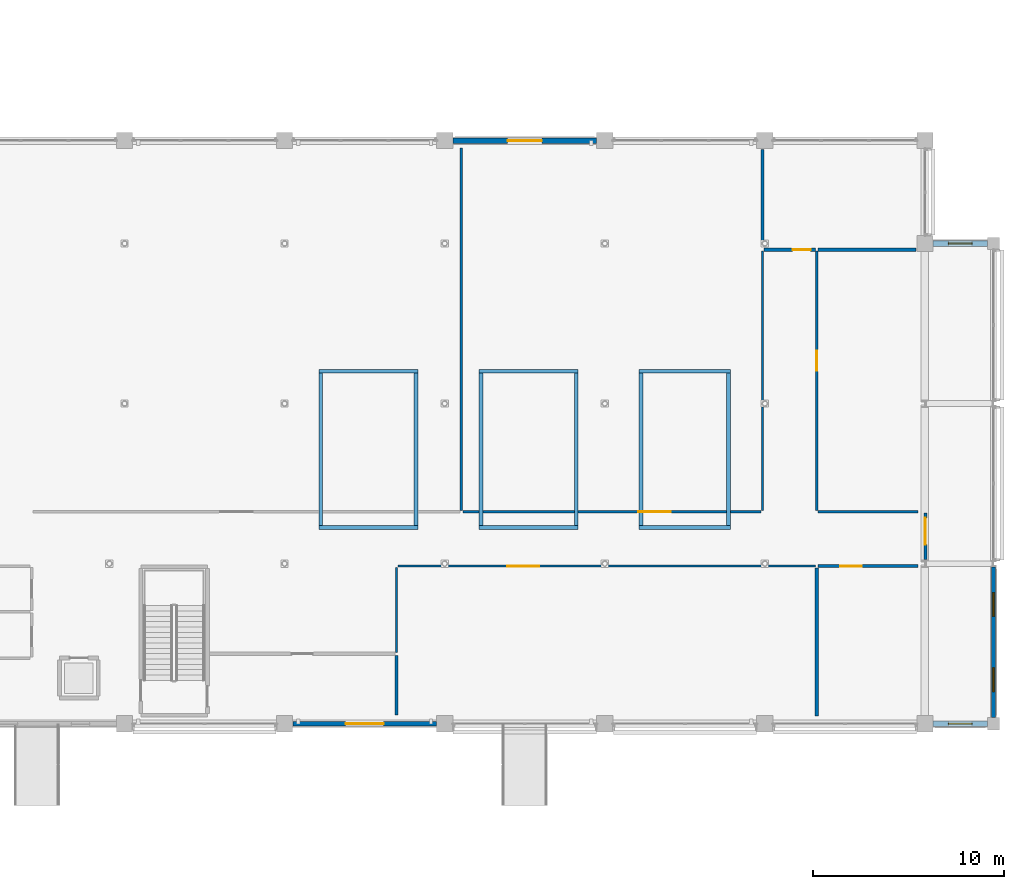
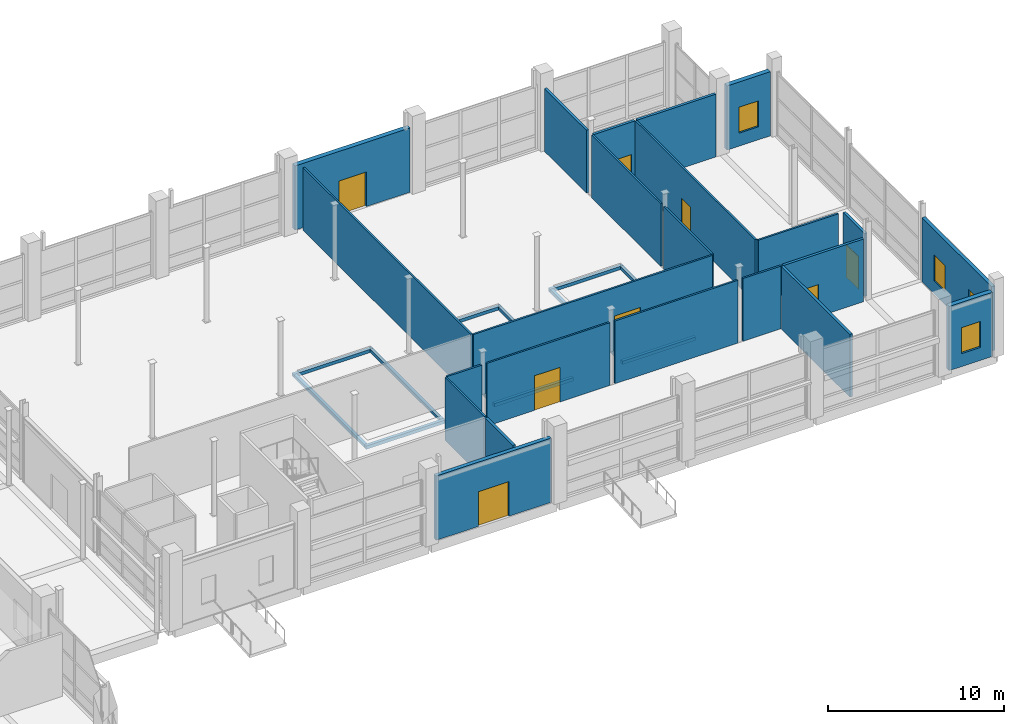
# One storey, part 65 of 140: 35 walls, 8 doors, 4 windows, 12 openings.
"""IFC4 building model written with IfcOpenShell, lengths in metres."""

from ifc_helpers import new_model, si_unit, direction, frame, frame_2d, origin, place, context, subcontext, project, spatial, rectangle, extrude, material, layer, layer_set, type_object, element, fill, save


model = new_model("IFC4")

# Units and contexts
model_context = context("Model", 3, precision=1e-05, world=origin(), true_north=direction((0.0, 1.0)))
body_context = subcontext(model_context, "Body", "Model", "MODEL_VIEW")
ifc_project = project(units=[si_unit("LENGTHUNIT", "METRE"), si_unit("AREAUNIT", "SQUARE_METRE"), si_unit("VOLUMEUNIT", "CUBIC_METRE"), si_unit("PLANEANGLEUNIT", "RADIAN"), si_unit("MASSUNIT", "GRAM", prefix="KILO")], contexts=[model_context])

# Site, building, storey
site_placement = place(None, origin())
site = spatial("IfcSite", under=ifc_project, at=site_placement, CompositionType="ELEMENT")
building_placement = place(site_placement, origin())
building = spatial("IfcBuilding", under=site, at=building_placement, Name="Telukmera Botanical Conservatory", CompositionType="ELEMENT")
storey_placement = place(building_placement, origin())
storey = spatial("IfcBuildingStorey", under=building, at=storey_placement, Name="L00", CompositionType="ELEMENT", Elevation=0.0)

# Wall, opening, door
ifc_material_1 = material(Name="Granite-faced precast concrete C40/50", Category="masonry")
ifc_layer_1 = layer(ifc_material_1, 0.260009765625)
ifc_layer_set_1 = layer_set([ifc_layer_1], Name="Granite-faced precast concrete C40/50")
wall_type_1 = type_object("IfcWallType", Name="Exterior Granite Precast Plinth Wall 260", PredefinedType="SOLIDWALL", material=ifc_layer_set_1)
wall_1_placement = place(storey_placement, frame((134.826904296875, 17.60009765625, 0.0), z_axis=(0.0, 0.0, 1.0), x_axis=(1.0, 0.0, 0.0)))
wall_1 = element("IfcWall", 1, at=wall_1_placement, inside=storey, type_object=wall_type_1, Name="Exterior Precast Wall EW01 V1:L00:S3", PredefinedType="SOLIDWALL", context=body_context, shape_type="SweptSolid", body=[
    extrude(rectangle(XDim=7.546142578125, YDim=0.260009765625, at=frame_2d((3.77294921875, 0.0))), origin(), (0.0, 0.0, 1.0), 4.449951171875),
])
opening_1_placement = place(wall_1_placement, frame((2.77294921875, 0.0, 0.0)))
opening_1 = element("IfcOpeningElement", 2, at=opening_1_placement, cuts=wall_1, Name="Opening D006", PredefinedType="OPENING", context=body_context, shape_type="SweptSolid", body=[
    extrude(rectangle(XDim=2.0, YDim=2.39990234375, at=frame_2d((1.0, 1.199951171875))), frame((0.0, 0.139892578125, 0.0), z_axis=(0.0, -1.0, 0.0), x_axis=(1.0, 0.0, 0.0)), (0.0, 0.0, 1.0), 0.280029296875),
])
ifc_material_2 = material(Name="Thermally broken anodised aluminium glazed door assembly", Category="aluminium")
door_type_1 = type_object("IfcDoorType", Name="Conservatory Boulevard South Entrance Door 2000x2400", OperationType="NOTDEFINED", PredefinedType="DOOR", material=ifc_material_2)
door_1_placement = place(opening_1_placement, frame((2.0, 0.0, 0.0), z_axis=(0.0, 0.0, 1.0), x_axis=(-1.0, 0.0, 0.0)))
door_1 = element("IfcDoor", 3, at=door_1_placement, inside=storey, type_object=door_type_1, Name="Exterior Door D006", OperationType="DOUBLE_DOOR_SINGLE_SWING", OverallHeight=2.39990234375, OverallWidth=2.0, PredefinedType="DOOR", context=body_context, shape_type="SweptSolid", body=[
    extrude(rectangle(XDim=2.0, YDim=2.39990234375, at=frame_2d((1.0, 1.199951171875))), frame((0.0, 0.02490234375, 0.0), z_axis=(0.0, -1.0, 0.0), x_axis=(1.0, 0.0, 0.0)), (0.0, 0.0, 1.0), 0.050048828125),
])
fill(opening_1, door_1)

# Wall, opening, window
ifc_material_3 = material(Name="Terracotta-faced precast concrete C40/50", Category="masonry")
ifc_layer_2 = layer(ifc_material_3, 0.300048828125)
ifc_layer_set_2 = layer_set([ifc_layer_2], Name="Terracotta-faced precast concrete C40/50")
wall_type_2 = type_object("IfcWallType", Name="Exterior Polychrome Terracotta Precast Wall 300", PredefinedType="SOLIDWALL", material=ifc_layer_set_2)
wall_2_placement = place(storey_placement, frame((168.427001953125, 17.60009765625, 0.0), z_axis=(0.0, 0.0, 1.0), x_axis=(1.0, 0.0, 0.0)))
wall_2 = element("IfcWall", 4, at=wall_2_placement, inside=storey, type_object=wall_type_2, Name="Exterior Precast Wall EW02 V1:L00:ES", PredefinedType="SOLIDWALL", context=body_context, shape_type="SweptSolid", body=[
    extrude(rectangle(XDim=2.845947265625, YDim=0.300048828125, at=frame_2d((1.4228515625, 0.0))), origin(), (0.0, 0.0, 1.0), 4.449951171875),
])
opening_2_placement = place(wall_2_placement, frame((0.798095703125, 0.0, 0.89990234375)))
opening_2 = element("IfcOpeningElement", 5, at=opening_2_placement, cuts=wall_2, Name="Opening W11", PredefinedType="OPENING", context=body_context, shape_type="SweptSolid", body=[
    extrude(rectangle(XDim=1.25, YDim=1.800048828125, at=frame_2d((0.625, 0.89990234375))), frame((0.0, 0.159912109375, 0.0), z_axis=(0.0, -1.0, 0.0), x_axis=(1.0, 0.0, 0.0)), (0.0, 0.0, 1.0), 0.320068359375),
])
ifc_material_4 = material(Name="Thermally broken anodised aluminium frame with low-E double glazing", Category="aluminium")
window_type = type_object("IfcWindowType", Name="Double Horizontal Quarantine Prep Window 1250x1800", PartitioningType="DOUBLE_PANEL_HORIZONTAL", PredefinedType="WINDOW", material=ifc_material_4)
window_1_placement = place(opening_2_placement, origin())
window_1 = element("IfcWindow", 6, at=window_1_placement, inside=storey, type_object=window_type, Name="Facade Window W11 V1:L00:ES", OverallHeight=1.800048828125, OverallWidth=1.25, PartitioningType="DOUBLE_PANEL_HORIZONTAL", PredefinedType="WINDOW", context=body_context, shape_type="SweptSolid", body=[
    extrude(rectangle(XDim=1.25, YDim=1.800048828125, at=frame_2d((0.625, 0.89990234375))), frame((0.0, 0.030029296875, 0.0), z_axis=(0.0, -1.0, 0.0), x_axis=(1.0, 0.0, 0.0)), (0.0, 0.0, 1.0), 0.06005859375),
])
fill(opening_2, window_1)

wall_3_placement = place(storey_placement, frame((168.427001953125, 42.800048828125, 0.0), z_axis=(0.0, 0.0, 1.0), x_axis=(1.0, 0.0, 0.0)))
wall_3 = element("IfcWall", 7, at=wall_3_placement, inside=storey, type_object=wall_type_2, Name="Exterior Precast Wall EW02 V1:L00:EN", PredefinedType="SOLIDWALL", context=body_context, shape_type="SweptSolid", body=[
    extrude(rectangle(XDim=2.845947265625, YDim=0.300048828125, at=frame_2d((1.4228515625, 0.0))), origin(), (0.0, 0.0, 1.0), 4.449951171875),
])
opening_3_placement = place(wall_3_placement, frame((0.798095703125, 0.0, 0.89990234375)))
opening_3 = element("IfcOpeningElement", 8, at=opening_3_placement, cuts=wall_3, Name="Opening W11", PredefinedType="OPENING", context=body_context, shape_type="SweptSolid", body=[
    extrude(rectangle(XDim=1.25, YDim=1.800048828125, at=frame_2d((0.625, 0.89990234375))), frame((0.0, 0.159912109375, 0.0), z_axis=(0.0, -1.0, 0.0), x_axis=(1.0, 0.0, 0.0)), (0.0, 0.0, 1.0), 0.320068359375),
])
window_2_placement = place(opening_3_placement, origin())
window_2 = element("IfcWindow", 9, at=window_2_placement, inside=storey, type_object=window_type, Name="Facade Window W11 V1:L00:EN", OverallHeight=1.800048828125, OverallWidth=1.25, PartitioningType="DOUBLE_PANEL_HORIZONTAL", PredefinedType="WINDOW", context=body_context, shape_type="SweptSolid", body=[
    extrude(rectangle(XDim=1.25, YDim=1.800048828125, at=frame_2d((0.625, 0.89990234375))), frame((0.0, 0.030029296875, 0.0), z_axis=(0.0, -1.0, 0.0), x_axis=(1.0, 0.0, 0.0)), (0.0, 0.0, 1.0), 0.06005859375),
])
fill(opening_3, window_2)

# Wall, opening, door
wall_4_placement = place(storey_placement, frame((143.22705078125, 48.199951171875, 0.0), z_axis=(0.0, 0.0, 1.0), x_axis=(1.0, 0.0, 0.0)))
wall_4 = element("IfcWall", 10, at=wall_4_placement, inside=storey, type_object=wall_type_2, Name="Exterior Precast Wall EW02 V1:L00:N4", PredefinedType="SOLIDWALL", context=body_context, shape_type="SweptSolid", body=[
    extrude(rectangle(XDim=7.5458984375, YDim=0.300048828125, at=frame_2d((3.77294921875, 0.0))), origin(), (0.0, 0.0, 1.0), 4.449951171875),
])
opening_4_placement = place(wall_4_placement, frame((2.873046875, 0.0, 0.0)))
opening_4 = element("IfcOpeningElement", 11, at=opening_4_placement, cuts=wall_4, Name="Opening D011", PredefinedType="OPENING", context=body_context, shape_type="SweptSolid", body=[
    extrude(rectangle(XDim=1.800048828125, YDim=2.39990234375, at=frame_2d((0.89990234375, 1.199951171875))), frame((0.0, 0.159912109375, 0.0), z_axis=(0.0, -1.0, 0.0), x_axis=(1.0, 0.0, 0.0)), (0.0, 0.0, 1.0), 0.320068359375),
])
door_type_2 = type_object("IfcDoorType", Name="Conservatory North Garden Final Exit Door 1800x2400", OperationType="NOTDEFINED", PredefinedType="DOOR", material=ifc_material_2)
door_2_placement = place(opening_4_placement, origin())
door_2 = element("IfcDoor", 12, at=door_2_placement, inside=storey, type_object=door_type_2, Name="Exterior Door D011", OperationType="DOUBLE_DOOR_SINGLE_SWING", OverallHeight=2.39990234375, OverallWidth=1.800048828125, PredefinedType="DOOR", context=body_context, shape_type="SweptSolid", body=[
    extrude(rectangle(XDim=1.800048828125, YDim=2.39990234375, at=frame_2d((0.89990234375, 1.199951171875))), frame((0.0, 0.02490234375, 0.0), z_axis=(0.0, -1.0, 0.0), x_axis=(1.0, 0.0, 0.0)), (0.0, 0.0, 1.0), 0.050048828125),
])
fill(opening_4, door_2)

# Wall, openings, windows
ifc_layer_3 = layer(ifc_material_3, 0.219970703125)
ifc_layer_set_3 = layer_set([ifc_layer_3], Name="Terracotta-faced precast concrete C40/50")
wall_type_3 = type_object("IfcWallType", Name="Exterior Terracotta Rainscreen Cladding Wall 220", PredefinedType="USERDEFINED", material=ifc_layer_set_3)
wall_5_placement = place(storey_placement, frame((171.60009765625, 17.927001953125, 0.0), z_axis=(0.0, 0.0, 1.0), x_axis=(0.0, 1.0, 0.0)))
wall_5 = element("IfcWall", 13, at=wall_5_placement, inside=storey, type_object=wall_type_3, Name="Exterior Precast Wall EW07 V1:L00:E1", ObjectType="CLADDING", PredefinedType="USERDEFINED", context=body_context, shape_type="SweptSolid", body=[
    extrude(rectangle(XDim=7.91064453125, YDim=0.219970703125, at=frame_2d((3.955322265625, 0.0))), origin(), (0.0, 0.0, 1.0), 4.449951171875),
])
opening_5_placement = place(wall_5_placement, frame((1.352783203125, 0.0, 0.89990234375)))
opening_5 = element("IfcOpeningElement", 14, at=opening_5_placement, cuts=wall_5, Name="Opening W11", PredefinedType="OPENING", context=body_context, shape_type="SweptSolid", body=[
    extrude(rectangle(XDim=1.25, YDim=1.800048828125, at=frame_2d((0.625, 0.89990234375))), frame((0.0, 0.119873046875, 0.0), z_axis=(0.0, -1.0, 0.0), x_axis=(1.0, 0.0, 0.0)), (0.0, 0.0, 1.0), 0.239990234375),
])
opening_6_placement = place(wall_5_placement, frame((5.30810546875, 0.0, 0.89990234375)))
opening_6 = element("IfcOpeningElement", 15, at=opening_6_placement, cuts=wall_5, Name="Opening W11", PredefinedType="OPENING", context=body_context, shape_type="SweptSolid", body=[
    extrude(rectangle(XDim=1.25, YDim=1.800048828125, at=frame_2d((0.625, 0.89990234375))), frame((0.0, 0.119873046875, 0.0), z_axis=(0.0, -1.0, 0.0), x_axis=(1.0, 0.0, 0.0)), (0.0, 0.0, 1.0), 0.239990234375),
])
window_3_placement = place(opening_5_placement, origin())
window_3 = element("IfcWindow", 16, at=window_3_placement, inside=storey, type_object=window_type, Name="Facade Window W11 V1:L00:E1 1", OverallHeight=1.800048828125, OverallWidth=1.25, PartitioningType="DOUBLE_PANEL_HORIZONTAL", PredefinedType="WINDOW", context=body_context, shape_type="SweptSolid", body=[
    extrude(rectangle(XDim=1.25, YDim=1.800048828125, at=frame_2d((0.625, 0.89990234375))), frame((0.0, 0.030029296875, 0.0), z_axis=(0.0, -1.0, 0.0), x_axis=(1.0, 0.0, 0.0)), (0.0, 0.0, 1.0), 0.06005859375),
])
fill(opening_5, window_3)
window_4_placement = place(opening_6_placement, origin())
window_4 = element("IfcWindow", 17, at=window_4_placement, inside=storey, type_object=window_type, Name="Facade Window W11 V1:L00:E1 2", OverallHeight=1.800048828125, OverallWidth=1.25, PartitioningType="DOUBLE_PANEL_HORIZONTAL", PredefinedType="WINDOW", context=body_context, shape_type="SweptSolid", body=[
    extrude(rectangle(XDim=1.25, YDim=1.800048828125, at=frame_2d((0.625, 0.89990234375))), frame((0.0, 0.030029296875, 0.0), z_axis=(0.0, -1.0, 0.0), x_axis=(1.0, 0.0, 0.0)), (0.0, 0.0, 1.0), 0.06005859375),
])
fill(opening_6, window_4)

# Walls
ifc_material_5 = material(Name="Aluminium framed acoustic glass", Category="aluminium")
ifc_layer_4 = layer(ifc_material_5, 0.1201171875)
ifc_layer_set_4 = layer_set([ifc_layer_4], Name="Aluminium framed acoustic glass")
wall_type_4 = type_object("IfcWallType", Name="WT-GLAZ-120", PredefinedType="PARTITIONING", material=ifc_layer_set_4)
wall_6_placement = place(storey_placement, frame((140.27490234375, 21.35009765625, 0.0), z_axis=(0.0, 0.0, 1.0), x_axis=(0.0, 1.0, 0.0)))
element("IfcWall", 18, at=wall_6_placement, inside=storey, type_object=wall_type_4, Name="L00 Interior Partition 26", PredefinedType="PARTITIONING", context=body_context, shape_type="SweptSolid", body=[
    extrude(rectangle(XDim=4.449951171875, YDim=0.1201171875, at=frame_2d((2.22509765625, 0.0))), origin(), (0.0, 0.0, 1.0), 4.35009765625),
])
wall_7_placement = place(storey_placement, frame((140.35009765625, 25.875, 0.0), z_axis=(0.0, 0.0, 1.0), x_axis=(1.0, 0.0, 0.0)))
element("IfcWall", 19, at=wall_7_placement, inside=storey, type_object=wall_type_4, Name="L00 Interior Partition 29", PredefinedType="PARTITIONING", context=body_context, shape_type="SweptSolid", body=[
    extrude(rectangle(XDim=2.283447265625, YDim=0.1201171875, at=frame_2d((1.1416015625, 0.0))), origin(), (0.0, 0.0, 1.0), 4.35009765625),
])

# Wall, opening, door
wall_8_placement = place(storey_placement, frame((142.966552734375, 25.875, 0.0), z_axis=(0.0, 0.0, 1.0), x_axis=(1.0, 0.0, 0.0)))
wall_8 = element("IfcWall", 20, at=wall_8_placement, inside=storey, type_object=wall_type_4, Name="L00 Interior Partition 30", PredefinedType="PARTITIONING", context=body_context, shape_type="SweptSolid", body=[
    extrude(rectangle(XDim=8.06689453125, YDim=0.1201171875, at=frame_2d((4.033447265625, 0.0))), origin(), (0.0, 0.0, 1.0), 4.35009765625),
])
opening_7_placement = place(wall_8_placement, frame((3.1083984375, 0.0, 0.0)))
opening_7 = element("IfcOpeningElement", 21, at=opening_7_placement, cuts=wall_8, Name="Opening ID02", PredefinedType="OPENING", context=body_context, shape_type="SweptSolid", body=[
    extrude(rectangle(XDim=1.699951171875, YDim=2.39990234375, at=frame_2d((0.85009765625, 1.199951171875))), frame((0.0, 0.070068359375, 0.0), z_axis=(0.0, -1.0, 0.0), x_axis=(1.0, 0.0, 0.0)), (0.0, 0.0, 1.0), 0.14013671875),
])
ifc_material_6 = material(Name="Thermally broken aluminium glass door", Category="aluminium")
door_type_3 = type_object("IfcDoorType", Name="DT-BIOME-170", OperationType="NOTDEFINED", PredefinedType="DOOR", material=ifc_material_6)
door_3_placement = place(opening_7_placement, frame((1.699951171875, 0.0, 0.0), z_axis=(0.0, 0.0, 1.0), x_axis=(-1.0, 0.0, 0.0)))
door_3 = element("IfcDoor", 22, at=door_3_placement, inside=storey, type_object=door_type_3, Name="L00 Conservatory Montane Cloud Biome Door", OperationType="SINGLE_SWING_RIGHT", OverallHeight=2.39990234375, OverallWidth=1.699951171875, PredefinedType="DOOR", context=body_context, shape_type="SweptSolid", body=[
    extrude(rectangle(XDim=1.699951171875, YDim=2.39990234375, at=frame_2d((0.85009765625, 1.199951171875))), frame((0.0, 0.02490234375, 0.0), z_axis=(0.0, -1.0, 0.0), x_axis=(1.0, 0.0, 0.0)), (0.0, 0.0, 1.0), 0.050048828125),
])
fill(opening_7, door_3)

# Walls
wall_9_placement = place(storey_placement, frame((151.366455078125, 25.875, 0.0), z_axis=(0.0, 0.0, 1.0), x_axis=(1.0, 0.0, 0.0)))
element("IfcWall", 23, at=wall_9_placement, inside=storey, type_object=wall_type_4, Name="L00 Interior Partition 31", PredefinedType="PARTITIONING", context=body_context, shape_type="SweptSolid", body=[
    extrude(rectangle(XDim=8.067138671875, YDim=0.1201171875, at=frame_2d((4.03369140625, 0.0))), origin(), (0.0, 0.0, 1.0), 4.35009765625),
])
wall_10_placement = place(storey_placement, frame((159.7666015625, 25.875, 0.0), z_axis=(0.0, 0.0, 1.0), x_axis=(1.0, 0.0, 0.0)))
element("IfcWall", 24, at=wall_10_placement, inside=storey, type_object=wall_type_4, Name="L00 Interior Partition 32", PredefinedType="PARTITIONING", context=body_context, shape_type="SweptSolid", body=[
    extrude(rectangle(XDim=2.4833984375, YDim=0.1201171875, at=frame_2d((1.24169921875, 0.0))), origin(), (0.0, 0.0, 1.0), 4.35009765625),
])

# Wall, opening, door
wall_11_placement = place(storey_placement, frame((143.75, 28.72509765625, 0.0), z_axis=(0.0, 0.0, 1.0), x_axis=(1.0, 0.0, 0.0)))
wall_11 = element("IfcWall", 25, at=wall_11_placement, inside=storey, type_object=wall_type_4, Name="L00 Interior Partition 33", PredefinedType="PARTITIONING", context=body_context, shape_type="SweptSolid", body=[
    extrude(rectangle(XDim=15.64990234375, YDim=0.1201171875, at=frame_2d((7.824951171875, 0.0))), origin(), (0.0, 0.0, 1.0), 4.35009765625),
])
opening_8_placement = place(wall_11_placement, frame((9.216796875, 0.0, 0.0)))
opening_8 = element("IfcOpeningElement", 26, at=opening_8_placement, cuts=wall_11, Name="Opening ID02", PredefinedType="OPENING", context=body_context, shape_type="SweptSolid", body=[
    extrude(rectangle(XDim=1.699951171875, YDim=2.39990234375, at=frame_2d((0.85009765625, 1.199951171875))), frame((0.0, 0.070068359375, 0.0), z_axis=(0.0, -1.0, 0.0), x_axis=(1.0, 0.0, 0.0)), (0.0, 0.0, 1.0), 0.14013671875),
])
door_4_placement = place(opening_8_placement, origin())
door_4 = element("IfcDoor", 27, at=door_4_placement, inside=storey, type_object=door_type_3, Name="L00 Conservatory Highland Fern Biome Door", OperationType="SINGLE_SWING_LEFT", OverallHeight=2.39990234375, OverallWidth=1.699951171875, PredefinedType="DOOR", context=body_context, shape_type="SweptSolid", body=[
    extrude(rectangle(XDim=1.699951171875, YDim=2.39990234375, at=frame_2d((0.85009765625, 1.199951171875))), frame((0.0, 0.02490234375, 0.0), z_axis=(0.0, -1.0, 0.0), x_axis=(1.0, 0.0, 0.0)), (0.0, 0.0, 1.0), 0.050048828125),
])
fill(opening_8, door_4)

# Walls
wall_12_placement = place(storey_placement, frame((162.39990234375, 28.72509765625, 0.0), z_axis=(0.0, 0.0, 1.0), x_axis=(1.0, 0.0, 0.0)))
element("IfcWall", 28, at=wall_12_placement, inside=storey, type_object=wall_type_4, Name="L00 Interior Partition 35", PredefinedType="PARTITIONING", context=body_context, shape_type="SweptSolid", body=[
    extrude(rectangle(XDim=5.25, YDim=0.1201171875, at=frame_2d((2.625, 0.0))), origin(), (0.0, 0.0, 1.0), 4.35009765625),
])
wall_13_placement = place(storey_placement, frame((159.47509765625, 28.800048828125, 0.0), z_axis=(0.0, 0.0, 1.0), x_axis=(0.0, 1.0, 0.0)))
element("IfcWall", 29, at=wall_13_placement, inside=storey, type_object=wall_type_4, Name="L00 Interior Partition 37", PredefinedType="PARTITIONING", context=body_context, shape_type="SweptSolid", body=[
    extrude(rectangle(XDim=5.433349609375, YDim=0.1201171875, at=frame_2d((2.716796875, 0.0))), origin(), (0.0, 0.0, 1.0), 4.35009765625),
])
wall_14_placement = place(storey_placement, frame((159.47509765625, 34.56640625, 0.0), z_axis=(0.0, 0.0, 1.0), x_axis=(0.0, 1.0, 0.0)))
element("IfcWall", 30, at=wall_14_placement, inside=storey, type_object=wall_type_4, Name="L00 Interior Partition 38", PredefinedType="PARTITIONING", context=body_context, shape_type="SweptSolid", body=[
    extrude(rectangle(XDim=7.83349609375, YDim=0.1201171875, at=frame_2d((3.916748046875, 0.0))), origin(), (0.0, 0.0, 1.0), 4.35009765625),
])

# Wall, opening, door
wall_15_placement = place(storey_placement, frame((162.324951171875, 28.800048828125, 0.0), z_axis=(0.0, 0.0, 1.0), x_axis=(0.0, 1.0, 0.0)))
wall_15 = element("IfcWall", 31, at=wall_15_placement, inside=storey, type_object=wall_type_4, Name="L00 Interior Partition 39", PredefinedType="PARTITIONING", context=body_context, shape_type="SweptSolid", body=[
    extrude(rectangle(XDim=13.599853515625, YDim=0.1201171875, at=frame_2d((6.7998046875, 0.0))), origin(), (0.0, 0.0, 1.0), 4.35009765625),
])
opening_9_placement = place(wall_15_placement, frame((7.335205078125, 0.0, 0.0)))
opening_9 = element("IfcOpeningElement", 32, at=opening_9_placement, cuts=wall_15, Name="Opening ID13", PredefinedType="OPENING", context=body_context, shape_type="SweptSolid", body=[
    extrude(rectangle(XDim=1.0400390625, YDim=2.14990234375, at=frame_2d((0.52001953125, 1.074951171875))), frame((0.0, 0.070068359375, 0.0), z_axis=(0.0, -1.0, 0.0), x_axis=(1.0, 0.0, 0.0)), (0.0, 0.0, 1.0), 0.14013671875),
])
ifc_material_7 = material(Name="Hardwood curation studio door", Category="wood")
door_type_4 = type_object("IfcDoorType", Name="DT-CUR-104", OperationType="NOTDEFINED", PredefinedType="DOOR", material=ifc_material_7)
door_5_placement = place(opening_9_placement, frame((1.0400390625, 0.0, 0.0), z_axis=(0.0, 0.0, 1.0), x_axis=(-1.0, 0.0, 0.0)))
door_5 = element("IfcDoor", 33, at=door_5_placement, inside=storey, type_object=door_type_4, Name="L00 Conservatory Potting Room Door", OperationType="SINGLE_SWING_LEFT", OverallHeight=2.14990234375, OverallWidth=1.0400390625, PredefinedType="DOOR", context=body_context, shape_type="SweptSolid", body=[
    extrude(rectangle(XDim=1.0400390625, YDim=2.14990234375, at=frame_2d((0.52001953125, 1.074951171875))), frame((0.0, 0.02490234375, 0.0), z_axis=(0.0, -1.0, 0.0), x_axis=(1.0, 0.0, 0.0)), (0.0, 0.0, 1.0), 0.050048828125),
])
fill(opening_9, door_5)

# Walls
wall_16_placement = place(storey_placement, frame((143.675048828125, 28.800048828125, 0.0), z_axis=(0.0, 0.0, 1.0), x_axis=(0.0, 1.0, 0.0)))
element("IfcWall", 34, at=wall_16_placement, inside=storey, type_object=wall_type_4, Name="L00 Interior Partition 41", PredefinedType="PARTITIONING", context=body_context, shape_type="SweptSolid", body=[
    extrude(rectangle(XDim=19.0, YDim=0.1201171875, at=frame_2d((9.5, 0.0))), origin(), (0.0, 0.0, 1.0), 4.35009765625),
])
ifc_material_8 = material(Name="Blockwork masonry", Category="masonry")
ifc_layer_5 = layer(ifc_material_8, 0.169921875)
ifc_layer_set_5 = layer_set([ifc_layer_5], Name="Blockwork masonry")
wall_type_5 = type_object("IfcWallType", Name="WT-PLANT-170", PredefinedType="PARTITIONING", material=ifc_layer_set_5)
wall_17_placement = place(storey_placement, frame((140.27490234375, 18.050048828125, 0.0), z_axis=(0.0, 0.0, 1.0), x_axis=(0.0, 1.0, 0.0)))
element("IfcWall", 35, at=wall_17_placement, inside=storey, type_object=wall_type_5, Name="L00 Interior Partition 25", PredefinedType="PARTITIONING", context=body_context, shape_type="SweptSolid", body=[
    extrude(rectangle(XDim=3.1298828125, YDim=0.169921875, at=frame_2d((1.56494140625, 0.0))), origin(), (0.0, 0.0, 1.0), 4.35009765625),
])

# Wall, opening, door
wall_18_placement = place(storey_placement, frame((162.39990234375, 25.875, 0.0), z_axis=(0.0, 0.0, 1.0), x_axis=(1.0, 0.0, 0.0)))
wall_18 = element("IfcWall", 36, at=wall_18_placement, inside=storey, type_object=wall_type_5, Name="L00 Interior Partition 34", PredefinedType="PARTITIONING", context=body_context, shape_type="SweptSolid", body=[
    extrude(rectangle(XDim=5.25, YDim=0.169921875, at=frame_2d((2.625, 0.0))), origin(), (0.0, 0.0, 1.0), 4.35009765625),
])
opening_10_placement = place(wall_18_placement, frame((1.152587890625, 0.0, 0.0)))
opening_10 = element("IfcOpeningElement", 37, at=opening_10_placement, cuts=wall_18, Name="Opening ID10", PredefinedType="OPENING", context=body_context, shape_type="SweptSolid", body=[
    extrude(rectangle(XDim=1.139892578125, YDim=2.219970703125, at=frame_2d((0.56982421875, 1.10986328125))), frame((0.0, 0.094970703125, 0.0), z_axis=(0.0, -1.0, 0.0), x_axis=(1.0, 0.0, 0.0)), (0.0, 0.0, 1.0), 0.18994140625),
])
ifc_material_9 = material(Name="Sealed steel herbarium door", Category="steel")
door_type_5 = type_object("IfcDoorType", Name="DT-HERB-114", OperationType="NOTDEFINED", PredefinedType="DOOR", material=ifc_material_9)
door_6_placement = place(opening_10_placement, frame((1.139892578125, 0.0, 0.0), z_axis=(0.0, 0.0, 1.0), x_axis=(-1.0, 0.0, 0.0)))
door_6 = element("IfcDoor", 38, at=door_6_placement, inside=storey, type_object=door_type_5, Name="L00 Conservatory Quarantine Room Door", OperationType="SINGLE_SWING_RIGHT", OverallHeight=2.219970703125, OverallWidth=1.139892578125, PredefinedType="DOOR", context=body_context, shape_type="SweptSolid", body=[
    extrude(rectangle(XDim=1.139892578125, YDim=2.219970703125, at=frame_2d((0.56982421875, 1.10986328125))), frame((0.0, 0.02490234375, 0.0), z_axis=(0.0, -1.0, 0.0), x_axis=(1.0, 0.0, 0.0)), (0.0, 0.0, 1.0), 0.050048828125),
])
fill(opening_10, door_6)

wall_19_placement = place(storey_placement, frame((168.02490234375, 26.214111328125, 0.0), z_axis=(0.0, 0.0, 1.0), x_axis=(0.0, 1.0, 0.0)))
wall_19 = element("IfcWall", 39, at=wall_19_placement, inside=storey, type_object=wall_type_5, Name="L00 Interior Partition 36", PredefinedType="PARTITIONING", context=body_context, shape_type="SweptSolid", body=[
    extrude(rectangle(XDim=2.435791015625, YDim=0.169921875, at=frame_2d((1.2177734375, 0.0))), origin(), (0.0, 0.0, 1.0), 4.35009765625),
])
opening_11_placement = place(wall_19_placement, frame((0.785888671875, 0.0, 0.0)))
opening_11 = element("IfcOpeningElement", 40, at=opening_11_placement, cuts=wall_19, Name="Opening ID05", PredefinedType="OPENING", context=body_context, shape_type="SweptSolid", body=[
    extrude(rectangle(XDim=1.39990234375, YDim=2.25, at=frame_2d((0.699951171875, 1.125))), frame((0.0, 0.094970703125, 0.0), z_axis=(0.0, -1.0, 0.0), x_axis=(1.0, 0.0, 0.0)), (0.0, 0.0, 1.0), 0.18994140625),
])
ifc_material_10 = material(Name="Louvred steel plant double door", Category="steel")
door_type_6 = type_object("IfcDoorType", Name="DT-PLANT-140", OperationType="NOTDEFINED", PredefinedType="DOOR", material=ifc_material_10)
door_7_placement = place(opening_11_placement, frame((1.39990234375, 0.0, 0.0), z_axis=(0.0, 0.0, 1.0), x_axis=(-1.0, 0.0, 0.0)))
door_7 = element("IfcDoor", 41, at=door_7_placement, inside=storey, type_object=door_type_6, Name="L00 Conservatory Environmental Plant Door", OperationType="SINGLE_SWING_LEFT", OverallHeight=2.25, OverallWidth=1.39990234375, PredefinedType="DOOR", context=body_context, shape_type="SweptSolid", body=[
    extrude(rectangle(XDim=1.39990234375, YDim=2.25, at=frame_2d((0.699951171875, 1.125))), frame((0.0, 0.02490234375, 0.0), z_axis=(0.0, -1.0, 0.0), x_axis=(1.0, 0.0, 0.0)), (0.0, 0.0, 1.0), 0.050048828125),
])
fill(opening_11, door_7)

wall_20_placement = place(storey_placement, frame((159.550048828125, 42.47509765625, 0.0), z_axis=(0.0, 0.0, 1.0), x_axis=(1.0, 0.0, 0.0)))
wall_20 = element("IfcWall", 42, at=wall_20_placement, inside=storey, type_object=wall_type_5, Name="L00 Interior Partition 40", PredefinedType="PARTITIONING", context=body_context, shape_type="SweptSolid", body=[
    extrude(rectangle(XDim=2.699951171875, YDim=0.169921875, at=frame_2d((1.35009765625, 0.0))), origin(), (0.0, 0.0, 1.0), 4.35009765625),
])
opening_12_placement = place(wall_20_placement, frame((1.510009765625, 0.0, 0.0)))
opening_12 = element("IfcOpeningElement", 43, at=opening_12_placement, cuts=wall_20, Name="Opening ID16", PredefinedType="OPENING", context=body_context, shape_type="SweptSolid", body=[
    extrude(rectangle(XDim=0.93994140625, YDim=2.10009765625, at=frame_2d((0.469970703125, 1.050048828125))), frame((0.0, 0.094970703125, 0.0), z_axis=(0.0, -1.0, 0.0), x_axis=(1.0, 0.0, 0.0)), (0.0, 0.0, 1.0), 0.18994140625),
])
ifc_material_11 = material(Name="Steel utility store fire door", Category="steel")
door_type_7 = type_object("IfcDoorType", Name="DT-STR-094", OperationType="NOTDEFINED", PredefinedType="DOOR", material=ifc_material_11)
door_8_placement = place(opening_12_placement, origin())
door_8 = element("IfcDoor", 44, at=door_8_placement, inside=storey, type_object=door_type_7, Name="L00 Conservatory Misting Plant Room Door", OperationType="SINGLE_SWING_RIGHT", OverallHeight=2.10009765625, OverallWidth=0.93994140625, PredefinedType="DOOR", context=body_context, shape_type="SweptSolid", body=[
    extrude(rectangle(XDim=0.93994140625, YDim=2.10009765625, at=frame_2d((0.469970703125, 1.050048828125))), frame((0.0, 0.02490234375, 0.0), z_axis=(0.0, -1.0, 0.0), x_axis=(1.0, 0.0, 0.0)), (0.0, 0.0, 1.0), 0.050048828125),
])
fill(opening_12, door_8)

# Walls
wall_21_placement = place(storey_placement, frame((162.324951171875, 18.0, 0.0), z_axis=(0.0, 0.0, 1.0), x_axis=(0.0, 1.0, 0.0)))
element("IfcWall", 45, at=wall_21_placement, inside=storey, type_object=wall_type_5, Name="L00 Interior Partition 42", PredefinedType="PARTITIONING", context=body_context, shape_type="SweptSolid", body=[
    extrude(rectangle(XDim=7.780029296875, YDim=0.169921875, at=frame_2d((3.89013671875, 0.0))), origin(), (0.0, 0.0, 1.0), 4.35009765625),
])
wall_22_placement = place(storey_placement, frame((159.47509765625, 42.966552734375, 0.0), z_axis=(0.0, 0.0, 1.0), x_axis=(0.0, 1.0, 0.0)))
element("IfcWall", 46, at=wall_22_placement, inside=storey, type_object=wall_type_5, Name="L00 Interior Partition 43", PredefinedType="PARTITIONING", context=body_context, shape_type="SweptSolid", body=[
    extrude(rectangle(XDim=4.778564453125, YDim=0.169921875, at=frame_2d((2.38916015625, 0.0))), origin(), (0.0, 0.0, 1.0), 4.35009765625),
])
wall_23_placement = place(storey_placement, frame((162.39990234375, 42.47509765625, 0.0), z_axis=(0.0, 0.0, 1.0), x_axis=(1.0, 0.0, 0.0)))
element("IfcWall", 47, at=wall_23_placement, inside=storey, type_object=wall_type_5, Name="L00 Interior Partition 44", PredefinedType="PARTITIONING", context=body_context, shape_type="SweptSolid", body=[
    extrude(rectangle(XDim=5.14501953125, YDim=0.169921875, at=frame_2d((2.572509765625, 0.0))), origin(), (0.0, 0.0, 1.0), 4.35009765625),
])
ifc_material_12 = material(Name="Concrete C40/50", Category="concrete")
ifc_layer_6 = layer(ifc_material_12, 0.199951171875)
ifc_layer_set_6 = layer_set([ifc_layer_6], Name="Concrete C40/50")
wall_type_6 = type_object("IfcWallType", Name="Wall_TW1", PredefinedType="SOLIDWALL", material=ifc_layer_set_6)
for number, where, z_axis, x_axis, name in (
    (48, (136.199951171875, 27.89990234375, -0.449951171875), (0.0, 0.0, 1.0), (1.0, 0.0, 0.0), "Conservatory Soil Bed Trough Kerb Wall 1-S"),
    (49, (136.199951171875, 36.10009765625, -0.449951171875), (0.0, 0.0, 1.0), (1.0, 0.0, 0.0), "Conservatory Soil Bed Trough Kerb Wall 1-N"),
):
    element("IfcWall", number, at=place(storey_placement, frame(where, z_axis=z_axis, x_axis=x_axis)), inside=storey, type_object=wall_type_6, Name=name, PredefinedType="SOLIDWALL", context=body_context, shape_type="SweptSolid", body=[
        extrude(rectangle(XDim=5.199951171875, YDim=0.199951171875, at=frame_2d((2.60009765625, 0.0))), origin(), (0.0, 0.0, 1.0), 0.22998046875),
    ])
for number, where, z_axis, x_axis, name in (
    (50, (136.300048828125, 28.0, -0.449951171875), (0.0, 0.0, 1.0), (0.0, 1.0, 0.0), "Conservatory Soil Bed Trough Kerb Wall 1-W"),
    (51, (141.300048828125, 28.0, -0.449951171875), (0.0, 0.0, 1.0), (0.0, 1.0, 0.0), "Conservatory Soil Bed Trough Kerb Wall 1-E"),
):
    element("IfcWall", number, at=place(storey_placement, frame(where, z_axis=z_axis, x_axis=x_axis)), inside=storey, type_object=wall_type_6, Name=name, PredefinedType="SOLIDWALL", context=body_context, shape_type="SweptSolid", body=[
        extrude(rectangle(XDim=8.0, YDim=0.199951171875, at=frame_2d((4.0, 0.0))), origin(), (0.0, 0.0, 1.0), 0.22998046875),
    ])
for number, where, z_axis, x_axis, name in (
    (52, (144.60009765625, 27.89990234375, -0.449951171875), (0.0, 0.0, 1.0), (1.0, 0.0, 0.0), "Conservatory Soil Bed Trough Kerb Wall 2-S"),
    (53, (144.60009765625, 36.10009765625, -0.449951171875), (0.0, 0.0, 1.0), (1.0, 0.0, 0.0), "Conservatory Soil Bed Trough Kerb Wall 2-N"),
):
    element("IfcWall", number, at=place(storey_placement, frame(where, z_axis=z_axis, x_axis=x_axis)), inside=storey, type_object=wall_type_6, Name=name, PredefinedType="SOLIDWALL", context=body_context, shape_type="SweptSolid", body=[
        extrude(rectangle(XDim=5.199951171875, YDim=0.199951171875, at=frame_2d((2.60009765625, 0.0))), origin(), (0.0, 0.0, 1.0), 0.22998046875),
    ])
for number, where, z_axis, x_axis, name in (
    (54, (144.699951171875, 28.0, -0.449951171875), (0.0, 0.0, 1.0), (0.0, 1.0, 0.0), "Conservatory Soil Bed Trough Kerb Wall 2-W"),
    (55, (149.699951171875, 28.0, -0.449951171875), (0.0, 0.0, 1.0), (0.0, 1.0, 0.0), "Conservatory Soil Bed Trough Kerb Wall 2-E"),
):
    element("IfcWall", number, at=place(storey_placement, frame(where, z_axis=z_axis, x_axis=x_axis)), inside=storey, type_object=wall_type_6, Name=name, PredefinedType="SOLIDWALL", context=body_context, shape_type="SweptSolid", body=[
        extrude(rectangle(XDim=8.0, YDim=0.199951171875, at=frame_2d((4.0, 0.0))), origin(), (0.0, 0.0, 1.0), 0.22998046875),
    ])
for number, where, z_axis, x_axis, name in (
    (56, (153.0, 27.89990234375, -0.449951171875), (0.0, 0.0, 1.0), (1.0, 0.0, 0.0), "Conservatory Soil Bed Trough Kerb Wall 3-S"),
    (57, (153.0, 36.10009765625, -0.449951171875), (0.0, 0.0, 1.0), (1.0, 0.0, 0.0), "Conservatory Soil Bed Trough Kerb Wall 3-N"),
):
    element("IfcWall", number, at=place(storey_placement, frame(where, z_axis=z_axis, x_axis=x_axis)), inside=storey, type_object=wall_type_6, Name=name, PredefinedType="SOLIDWALL", context=body_context, shape_type="SweptSolid", body=[
        extrude(rectangle(XDim=4.800048828125, YDim=0.199951171875, at=frame_2d((2.39990234375, 0.0))), origin(), (0.0, 0.0, 1.0), 0.22998046875),
    ])
for number, where, z_axis, x_axis, name in (
    (58, (153.10009765625, 28.0, -0.449951171875), (0.0, 0.0, 1.0), (0.0, 1.0, 0.0), "Conservatory Soil Bed Trough Kerb Wall 3-W"),
    (59, (157.699951171875, 28.0, -0.449951171875), (0.0, 0.0, 1.0), (0.0, 1.0, 0.0), "Conservatory Soil Bed Trough Kerb Wall 3-E"),
):
    element("IfcWall", number, at=place(storey_placement, frame(where, z_axis=z_axis, x_axis=x_axis)), inside=storey, type_object=wall_type_6, Name=name, PredefinedType="SOLIDWALL", context=body_context, shape_type="SweptSolid", body=[
        extrude(rectangle(XDim=8.0, YDim=0.199951171875, at=frame_2d((4.0, 0.0))), origin(), (0.0, 0.0, 1.0), 0.22998046875),
    ])

save(model, "model.ifc")
